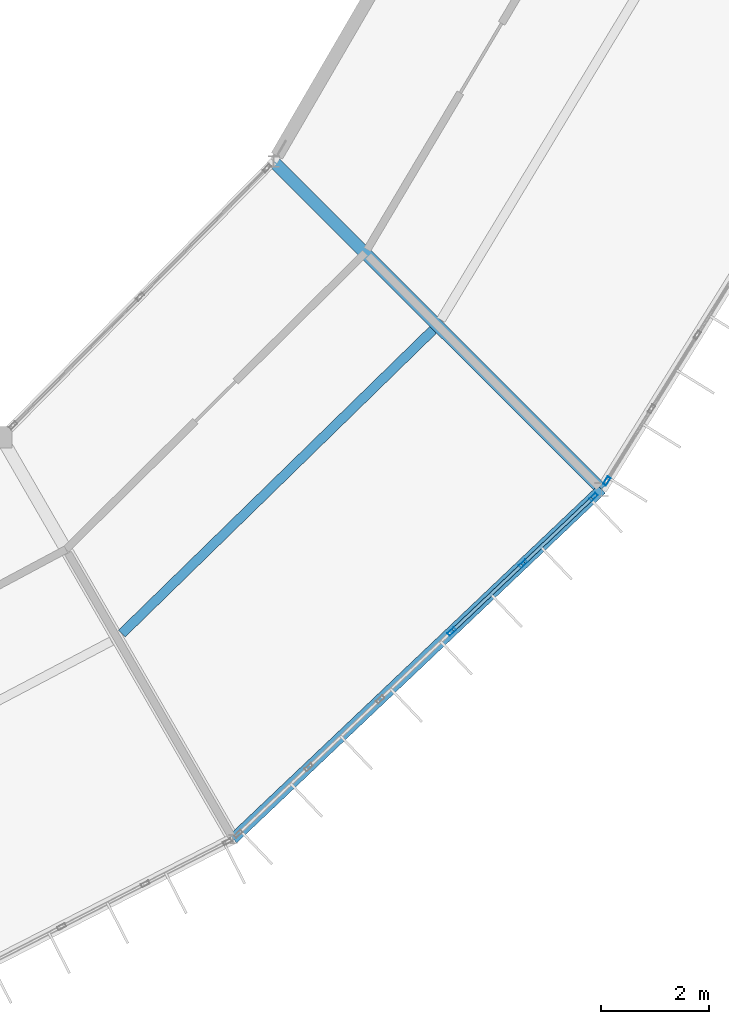
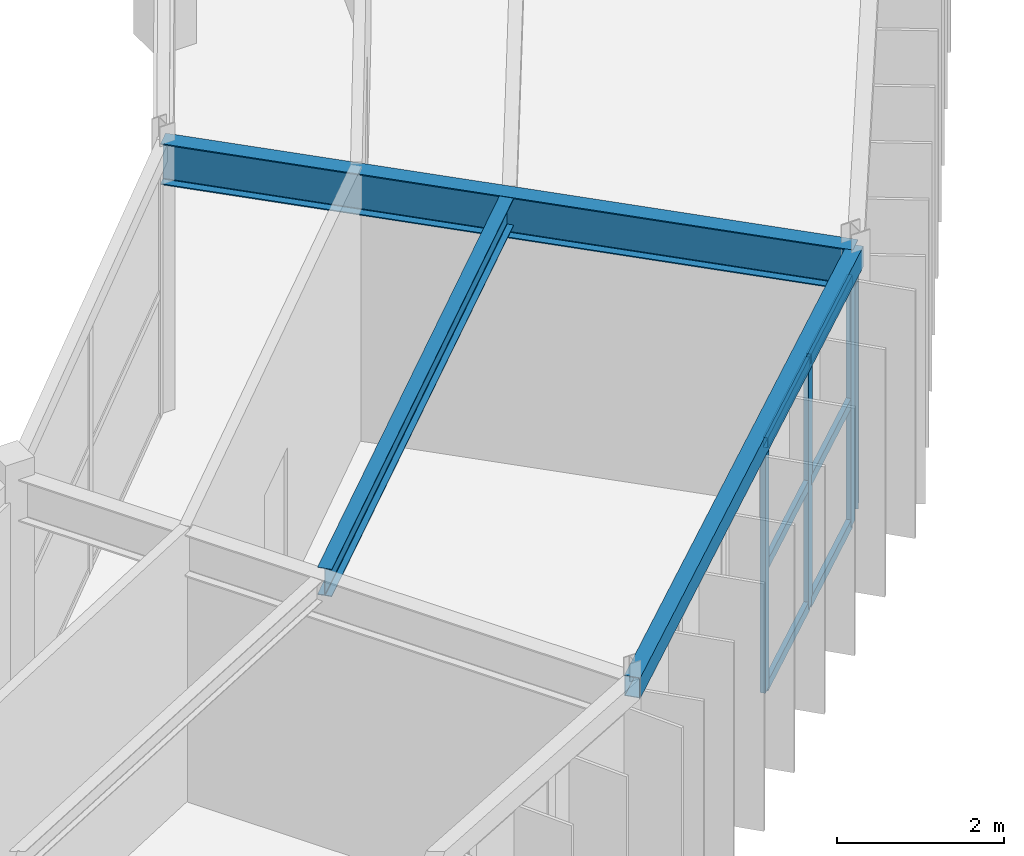
# One storey, part 49 of 134: 10 members, 3 beams, 2 elements without a shape of their own.
"""IFC4 building model written with IfcOpenShell, lengths in metres."""

import ifcopenshell
import ifcopenshell.guid

model = None  # the IFC model being written
_history = None  # IfcOwnerHistory: only IFC2X3 demands one
_inside = {}  # id of a spatial element -> (the spatial element, [elements in it])
_under = {}  # id of a project, library or spatial element -> (it, [spatial elements below it])
_declared = {}  # id of a project -> (the project, [libraries it declares])
_typed = {}  # id of a type object -> (the type object, [elements of that type])
_made_of = {}  # id of a material, layer set ... -> (it, [elements and type objects made of it])


def new_model(schema):
    """Start an empty IFC model of exactly this schema.

    Asked for "IFC4X3", IfcOpenShell would pick the latest addendum, in which some entities
    have other attributes; the version numbers below select the first issue.
    IFC2X3 requires an IfcOwnerHistory on every rooted entity: one is made here for all.
    """
    global model, _history
    if schema == "IFC4X3":
        model = ifcopenshell.file(schema_version=(4, 3, 0, 0))
    else:
        model = ifcopenshell.file(schema=schema)
    _inside.clear()
    _under.clear()
    _declared.clear()
    _typed.clear()
    _made_of.clear()
    _history = None
    if model.schema == "IFC2X3":
        org = make("IfcOrganization", Name="unknown")
        user = make(
            "IfcPersonAndOrganization",
            ThePerson=make("IfcPerson", FamilyName="unknown"),
            TheOrganization=org,
        )
        app = make(
            "IfcApplication",
            ApplicationDeveloper=org,
            Version="unknown",
            ApplicationFullName="unknown",
            ApplicationIdentifier="unknown",
        )
        _history = make(
            "IfcOwnerHistory",
            OwningUser=user,
            OwningApplication=app,
            ChangeAction="ADDED",
            CreationDate=0,
        )
    return model


def make(cls, **values):
    """One entity of the class cls with the attributes given. An attribute that is None is left unset."""
    return model.create_entity(
        cls, **{name: value for name, value in values.items() if value is not None}
    )


def rooted(cls, **values):
    """An entity with a GlobalId (a new one), such as an element, a storey or a relation."""
    return make(cls, GlobalId=ifcopenshell.guid.new(), OwnerHistory=_history, **values)


def si_unit(unit_type, name, prefix=None):
    """IfcSIUnit, for example si_unit("LENGTHUNIT", "METRE", prefix="MILLI")."""
    return make("IfcSIUnit", UnitType=unit_type, Prefix=prefix, Name=name)


def assignment(units):
    """IfcUnitAssignment: the units of a project."""
    return None if units is None else make("IfcUnitAssignment", Units=units)


def point(xyz):
    """IfcCartesianPoint."""
    return None if xyz is None else make("IfcCartesianPoint", Coordinates=xyz)


def direction(xyz):
    """IfcDirection."""
    return None if xyz is None else make("IfcDirection", DirectionRatios=xyz)


def frame(location, z_axis=None, x_axis=None):
    """IfcAxis2Placement3D, a coordinate frame: its origin and axes. An axis left out is left unset."""
    return make(
        "IfcAxis2Placement3D",
        Location=point(location),
        Axis=direction(z_axis),
        RefDirection=direction(x_axis),
    )


def frame_2d(location, x_axis=None):
    """IfcAxis2Placement2D, a coordinate frame in the plane: its origin and x axis."""
    return make(
        "IfcAxis2Placement2D", Location=point(location), RefDirection=direction(x_axis)
    )


def origin():
    """The frame at (0, 0, 0) with its axes left unset."""
    return frame((0.0, 0.0, 0.0))


def origin_2d():
    """The frame at (0, 0) in the plane with its x axis left unset."""
    return frame_2d((0.0, 0.0))


def place(relative_to, where):
    """IfcLocalPlacement: puts the frame where relative to a parent placement (None: the world)."""
    return make(
        "IfcLocalPlacement", PlacementRelTo=relative_to, RelativePlacement=where
    )


def context(
    kind, dimensions, precision=None, world=None, true_north=None, identifier=None
):
    """IfcGeometricRepresentationContext, for example the 3D "Model" context."""
    return make(
        "IfcGeometricRepresentationContext",
        ContextIdentifier=identifier,
        ContextType=kind,
        CoordinateSpaceDimension=dimensions,
        Precision=precision,
        WorldCoordinateSystem=world,
        TrueNorth=true_north,
    )


def subcontext(parent, identifier, kind, view, scale=None):
    """IfcGeometricRepresentationSubContext, for example "Body" below "Model"."""
    return make(
        "IfcGeometricRepresentationSubContext",
        ContextIdentifier=identifier,
        ContextType=kind,
        ParentContext=parent,
        TargetScale=scale,
        TargetView=view,
    )


def project(units=None, contexts=None):
    """IfcProject with its units and contexts."""
    return rooted(
        "IfcProject",
        Name="project",
        RepresentationContexts=contexts,
        UnitsInContext=assignment(units),
    )


def spatial(cls, under=None, at=None, **own):
    """A site, building, storey or space (cls), placed at a placement, below another one or the project."""
    s = rooted(cls, ObjectPlacement=at, **own)
    if under is not None:
        _under.setdefault(under.id(), (under, []))[1].append(s)
    return s


def profile(cls, at=None, kind="AREA", **sizes):
    """A parametric profile (cls). Its sizes go by their IFC names, for example OverallWidth=200.0."""
    return make(cls, ProfileType=kind, Position=at, **sizes)


def hollow_rectangle(**sizes):
    """IfcRectangleHollowProfileDef."""
    return profile("IfcRectangleHollowProfileDef", **sizes)


def i_section(**sizes):
    """IfcIShapeProfileDef."""
    return profile("IfcIShapeProfileDef", **sizes)


def extrude(swept, where, along, depth):
    """IfcExtrudedAreaSolid: the profile swept, set in the frame where, extruded along a direction by depth."""
    return make(
        "IfcExtrudedAreaSolid",
        SweptArea=swept,
        Position=where,
        ExtrudedDirection=direction(along),
        Depth=depth,
    )


def shape(context_of_items, identifier, shape_type, items):
    """IfcShapeRepresentation: the items that make up one representation, for example the "Body"."""
    return make(
        "IfcShapeRepresentation",
        ContextOfItems=context_of_items,
        RepresentationIdentifier=identifier,
        RepresentationType=shape_type,
        Items=items,
    )


def material(Name=None, Category=None):
    """IfcMaterial."""
    return make("IfcMaterial", Name=Name, Category=Category)


def material_profile(
    of_material, cross_section, Name=None, Category=None, Priority=None
):
    """IfcMaterialProfile: a cross section and its material."""
    return make(
        "IfcMaterialProfile",
        Name=Name,
        Material=of_material,
        Profile=cross_section,
        Priority=Priority,
        Category=Category,
    )


def profile_set(profiles, Name=None, composite=None):
    """IfcMaterialProfileSet."""
    return make(
        "IfcMaterialProfileSet",
        Name=Name,
        MaterialProfiles=profiles,
        CompositeProfile=composite,
    )


def made_of(thing, what):
    """Note that an element or type object is made of a material, layer set ...; save() writes the relation."""
    if what is not None:
        _made_of.setdefault(what.id(), (what, []))[1].append(thing)
    return thing


def type_object(cls, material=None, **own):
    """A type object (cls), such as IfcWallType, which elements share."""
    return made_of(rooted(cls, **own), material)


def element(
    cls,
    number,
    at=None,
    inside=None,
    cuts=None,
    type_object=None,
    material=None,
    context=None,
    identifier="Body",
    shape_type=None,
    held_by="IfcProductDefinitionShape",
    body=None,
    shapes=None,
    **own,
):
    """One element of the class cls, such as IfcWall. Its Tag is "e" and its number.

    at: its placement. inside: the storey or other place that contains it. cuts: it is an
    opening in that element (IfcRelVoidsElement). A single representation is given by context,
    identifier, shape_type and body (its items); several are given by shapes. held_by: the class
    of the entity that holds the representations. save() writes the other relations.
    """
    e = rooted(cls, Tag="e%d" % number, ObjectPlacement=at, **own)
    if body is not None:
        shapes = [shape(context, identifier, shape_type, body)]
    if shapes is not None:
        e.Representation = make(held_by, Representations=shapes)
    if inside is not None:
        _inside.setdefault(inside.id(), (inside, []))[1].append(e)
    if cuts is not None:
        rooted(
            "IfcRelVoidsElement", RelatingBuildingElement=cuts, RelatedOpeningElement=e
        )
    if type_object is not None:
        _typed.setdefault(type_object.id(), (type_object, []))[1].append(e)
    return made_of(e, material)


def aggregate(whole, parts):
    """IfcRelAggregates: a whole, such as a stair, and the parts it consists of."""
    return rooted("IfcRelAggregates", RelatingObject=whole, RelatedObjects=parts)


def save(model, path):
    """Write the relations noted so far, then the file.

    IfcRelAggregates (storeys below a building ...), IfcRelContainedInSpatialStructure (elements
    in a storey), IfcRelDefinesByType, IfcRelAssociatesMaterial and IfcRelDeclares: one each for
    every whole, place, type object, material and project.
    """
    for whole, parts in _under.values():
        aggregate(whole, parts)
    for where, things in _inside.values():
        rooted(
            "IfcRelContainedInSpatialStructure",
            RelatedElements=things,
            RelatingStructure=where,
        )
    for kind, things in _typed.values():
        rooted("IfcRelDefinesByType", RelatedObjects=things, RelatingType=kind)
    for what, things in _made_of.values():
        rooted("IfcRelAssociatesMaterial", RelatedObjects=things, RelatingMaterial=what)
    for by, libraries in _declared.values():
        rooted("IfcRelDeclares", RelatingContext=by, RelatedDefinitions=libraries)
    model.write(path)


model = new_model("IFC4")

# Units and contexts
model_context = context("Model", 3, precision=1e-05, world=origin(), true_north=direction((0.0, 1.0)))
body_context = subcontext(model_context, "Body", "Model", "MODEL_VIEW")
ifc_project = project(units=[si_unit("LENGTHUNIT", "METRE"), si_unit("AREAUNIT", "SQUARE_METRE"), si_unit("VOLUMEUNIT", "CUBIC_METRE"), si_unit("PLANEANGLEUNIT", "RADIAN"), si_unit("MASSUNIT", "GRAM", prefix="KILO")], contexts=[model_context])

# Site, building, storey
site_placement = place(None, origin())
site = spatial("IfcSite", under=ifc_project, at=site_placement, CompositionType="ELEMENT")
building_placement = place(site_placement, origin())
building = spatial("IfcBuilding", under=site, at=building_placement, Name="Karori Crest Natural Sciences Institute", CompositionType="ELEMENT")
storey_placement = place(building_placement, frame((0.0, 0.0, 21.699951171875)))
storey = spatial("IfcBuildingStorey", under=building, at=storey_placement, Name="L05", CompositionType="ELEMENT", Elevation=21.699951171875)

# Beams
ifc_material_1 = material(Name="Hollow structural steel AS/NZS 1163 Grade C350", Category="steel")
ifc_material_profile_1 = material_profile(ifc_material_1, hollow_rectangle(XDim=0.199951171875, YDim=0.300048828125, WallThickness=0.010009765625, at=origin_2d()), Name="RHS300x200x10")
ifc_profile_set_1 = profile_set([ifc_material_profile_1], Name="Hollow structural steel AS/NZS 1163 Grade C350")
beam_type_1 = type_object("IfcBeamType", Name="BT-15", PredefinedType="SPANDREL", material=ifc_profile_set_1)
beam_1_placement = place(storey_placement, frame((82.89990234375, 14.566162109375, 3.7900390625), z_axis=(0.725481282589, 0.688241896874, 0.0), x_axis=(-0.688241896874, 0.725481282589, 0.0)))
element("IfcBeam", 1, at=beam_1_placement, inside=storey, type_object=beam_type_1, Name="Beam B-0604", PredefinedType="SPANDREL", context=body_context, shape_type="SweptSolid", body=[
    extrude(hollow_rectangle(XDim=0.199951171875, YDim=0.300048828125, WallThickness=0.010009765625, at=origin_2d()), origin(), (0.0, 0.0, 1.0), 9.4208984375),
])
ifc_material_2 = material(Name="Structural steel AS/NZS 3679.1 Grade 350", Category="steel")
ifc_material_profile_2 = material_profile(ifc_material_2, i_section(OverallWidth=0.22802734375, OverallDepth=0.60205078125, WebThickness=0.010498046875, FlangeThickness=0.014892578125, FilletRadius=0.013916015625, at=origin_2d()), Name="610UB101")
ifc_profile_set_2 = profile_set([ifc_material_profile_2], Name="Structural steel AS/NZS 3679.1 Grade 350")
beam_type_2 = type_object("IfcBeamType", Name="BT-27", PredefinedType="BEAM", material=ifc_profile_set_2)
beam_2_placement = place(storey_placement, frame((83.6533203125, 27.131103515625, 3.63916015625), z_axis=(0.70712097513, -0.707092586958, 0.0), x_axis=(0.707092586958, 0.70712097513, 0.0)))
element("IfcBeam", 2, at=beam_2_placement, inside=storey, type_object=beam_type_2, Name="Beam B-0610", PredefinedType="BEAM", context=body_context, shape_type="SweptSolid", body=[
    extrude(i_section(OverallWidth=0.22802734375, OverallDepth=0.60205078125, WebThickness=0.010498046875, FlangeThickness=0.014892578125, FilletRadius=0.013916015625, at=origin_2d()), origin(), (0.0, 0.0, 1.0), 8.60009765625),
])
ifc_material_profile_3 = material_profile(ifc_material_2, i_section(OverallWidth=0.177978515625, OverallDepth=0.403076171875, WebThickness=0.007568359375, FlangeThickness=0.010986328125, FilletRadius=0.010986328125, at=origin_2d()), Name="410UB53.7")
ifc_profile_set_3 = profile_set([ifc_material_profile_3], Name="Structural steel AS/NZS 3679.1 Grade 350")
beam_type_3 = type_object("IfcBeamType", Name="BT-29", PredefinedType="BEAM", material=ifc_profile_set_3)
beam_3_placement = place(storey_placement, frame((80.8359375, 18.373779296875, 3.738525390625), z_axis=(0.715681193625, 0.698427110794, 0.0), x_axis=(-0.698427110794, 0.715681193625, 0.0)))
element("IfcBeam", 3, at=beam_3_placement, inside=storey, type_object=beam_type_3, Name="Beam B-0607", PredefinedType="BEAM", context=body_context, shape_type="SweptSolid", body=[
    extrude(i_section(OverallWidth=0.177978515625, OverallDepth=0.403076171875, WebThickness=0.007568359375, FlangeThickness=0.010986328125, FilletRadius=0.010986328125, at=origin_2d()), origin(), (0.0, 0.0, 1.0), 8.0654296875),
])

# Curtain wall, members
ifc_material_3 = material(Name="Anodised architectural aluminium 6063-T6", Category="aluminium")
curtain_wall_type_1 = type_object("IfcCurtainWallType", Name="CWT-01", PredefinedType="NOTDEFINED", material=ifc_material_3)
curtain_wall_1_placement = place(storey_placement, origin())
curtain_wall_1 = element("IfcCurtainWall", 4, at=curtain_wall_1_placement, inside=storey, type_object=curtain_wall_type_1, Name="Curtain wall CW-0202", PredefinedType="NOTDEFINED")
ifc_material_profile_4 = material_profile(ifc_material_3, hollow_rectangle(XDim=0.06494140625, YDim=0.159912109375, WallThickness=0.00390625, at=origin_2d()), Name="CWM160x65x4")
ifc_profile_set_4 = profile_set([ifc_material_profile_4], Name="Anodised architectural aluminium 6063-T6")
member_type_1 = type_object("IfcMemberType", Name="CWM-01", PredefinedType="MULLION", material=ifc_profile_set_4)
member_1_placement = place(storey_placement, frame((89.58447265625, 20.90771484375, 0.0), z_axis=(0.0, 0.0, 1.0), x_axis=(0.688250542104, -0.725473081026, 0.0)))
member_1 = element("IfcMember", 5, at=member_1_placement, type_object=member_type_1, Name="CW-0202 mullion 1", PredefinedType="MULLION", context=body_context, shape_type="SweptSolid", body=[
    extrude(hollow_rectangle(XDim=0.06494140625, YDim=0.159912109375, WallThickness=0.00390625, at=origin_2d()), origin(), (0.0, 0.0, 1.0), 3.625),
])
member_2_placement = place(storey_placement, frame((88.281494140625, 19.671630859375, 0.0), z_axis=(0.0, 0.0, 1.0), x_axis=(0.688250542104, -0.725473081026, 0.0)))
member_2 = element("IfcMember", 6, at=member_2_placement, type_object=member_type_1, Name="CW-0202 mullion 2", PredefinedType="MULLION", context=body_context, shape_type="SweptSolid", body=[
    extrude(hollow_rectangle(XDim=0.06494140625, YDim=0.159912109375, WallThickness=0.00390625, at=origin_2d()), origin(), (0.0, 0.0, 1.0), 3.625),
])
member_3_placement = place(storey_placement, frame((86.955078125, 18.4130859375, 0.0), z_axis=(0.0, 0.0, 1.0), x_axis=(0.688250542104, -0.725473081026, 0.0)))
member_3 = element("IfcMember", 7, at=member_3_placement, type_object=member_type_1, Name="CW-0202 mullion 3", PredefinedType="MULLION", context=body_context, shape_type="SweptSolid", body=[
    extrude(hollow_rectangle(XDim=0.06494140625, YDim=0.159912109375, WallThickness=0.00390625, at=origin_2d()), origin(), (0.0, 0.0, 1.0), 3.625),
])

# Curtain wall, member
curtain_wall_type_2 = type_object("IfcCurtainWallType", Name="CWT-02", PredefinedType="NOTDEFINED", material=ifc_material_3)
curtain_wall_2_placement = place(storey_placement, origin())
curtain_wall_2 = element("IfcCurtainWall", 8, at=curtain_wall_2_placement, inside=storey, type_object=curtain_wall_type_2, Name="Curtain wall CW-0204", PredefinedType="NOTDEFINED")
member_4_placement = place(storey_placement, frame((89.831298828125, 21.205810546875, 0.0), z_axis=(0.0, 0.0, 1.0), x_axis=(0.849664350398, -0.527323896352, 0.0)))
member_4 = element("IfcMember", 9, at=member_4_placement, type_object=member_type_1, Name="CW-0204 mullion 7", PredefinedType="MULLION", context=body_context, shape_type="SweptSolid", body=[
    extrude(hollow_rectangle(XDim=0.06494140625, YDim=0.159912109375, WallThickness=0.00390625, at=origin_2d()), origin(), (0.0, 0.0, 1.0), 3.625),
])
aggregate(curtain_wall_2, [member_4])

# Member
ifc_material_profile_5 = material_profile(ifc_material_3, hollow_rectangle(XDim=0.06494140625, YDim=0.14990234375, WallThickness=0.00390625, at=origin_2d()), Name="CWT150x65x4")
ifc_profile_set_5 = profile_set([ifc_material_profile_5], Name="Anodised architectural aluminium 6063-T6")
member_type_2 = type_object("IfcMemberType", Name="CWT-TR2", PredefinedType="USERDEFINED", material=ifc_profile_set_5)
member_5_placement = place(storey_placement, frame((89.560791015625, 20.88525390625, 0.032470703125), z_axis=(-0.725411327963, -0.6883156291, 0.0), x_axis=(0.6883156291, -0.725411327963, 0.0)))
member_5 = element("IfcMember", 10, at=member_5_placement, type_object=member_type_2, Name="CW-0202 transom 1.1", ObjectType="TRANSOM", PredefinedType="USERDEFINED", context=body_context, shape_type="SweptSolid", body=[
    extrude(hollow_rectangle(XDim=0.06494140625, YDim=0.14990234375, WallThickness=0.00390625, at=origin_2d()), origin(), (0.0, 0.0, 1.0), 1.73095703125),
])

member_6_placement = place(storey_placement, frame((89.560791015625, 20.88525390625, 1.8125), z_axis=(-0.725411327963, -0.6883156291, 0.0), x_axis=(0.6883156291, -0.725411327963, 0.0)))
member_6 = element("IfcMember", 11, at=member_6_placement, type_object=member_type_2, Name="CW-0202 transom 1.2", ObjectType="TRANSOM", PredefinedType="USERDEFINED", context=body_context, shape_type="SweptSolid", body=[
    extrude(hollow_rectangle(XDim=0.06494140625, YDim=0.14990234375, WallThickness=0.00390625, at=origin_2d()), origin(), (0.0, 0.0, 1.0), 1.73095703125),
])

member_7_placement = place(storey_placement, frame((89.560791015625, 20.88525390625, 3.592529296875), z_axis=(-0.725411327963, -0.6883156291, 0.0), x_axis=(0.6883156291, -0.725411327963, 0.0)))
member_7 = element("IfcMember", 12, at=member_7_placement, type_object=member_type_2, Name="CW-0202 transom 1.3", ObjectType="TRANSOM", PredefinedType="USERDEFINED", context=body_context, shape_type="SweptSolid", body=[
    extrude(hollow_rectangle(XDim=0.06494140625, YDim=0.14990234375, WallThickness=0.00390625, at=origin_2d()), origin(), (0.0, 0.0, 1.0), 1.73095703125),
])

member_8_placement = place(storey_placement, frame((88.2578125, 19.649169921875, 0.032470703125), z_axis=(-0.725483196334, -0.688239879575, 0.0), x_axis=(0.688239879575, -0.725483196334, 0.0)))
member_8 = element("IfcMember", 13, at=member_8_placement, type_object=member_type_2, Name="CW-0202 transom 2.1", ObjectType="TRANSOM", PredefinedType="USERDEFINED", context=body_context, shape_type="SweptSolid", body=[
    extrude(hollow_rectangle(XDim=0.06494140625, YDim=0.14990234375, WallThickness=0.00390625, at=origin_2d()), origin(), (0.0, 0.0, 1.0), 1.763427734375),
])

member_9_placement = place(storey_placement, frame((88.2578125, 19.649169921875, 1.8125), z_axis=(-0.725483196334, -0.688239879575, 0.0), x_axis=(0.688239879575, -0.725483196334, 0.0)))
member_9 = element("IfcMember", 14, at=member_9_placement, type_object=member_type_2, Name="CW-0202 transom 2.2", ObjectType="TRANSOM", PredefinedType="USERDEFINED", context=body_context, shape_type="SweptSolid", body=[
    extrude(hollow_rectangle(XDim=0.06494140625, YDim=0.14990234375, WallThickness=0.00390625, at=origin_2d()), origin(), (0.0, 0.0, 1.0), 1.763427734375),
])

member_10_placement = place(storey_placement, frame((88.2578125, 19.649169921875, 3.592529296875), z_axis=(-0.725483196334, -0.688239879575, 0.0), x_axis=(0.688239879575, -0.725483196334, 0.0)))
member_10 = element("IfcMember", 15, at=member_10_placement, type_object=member_type_2, Name="CW-0202 transom 2.3", ObjectType="TRANSOM", PredefinedType="USERDEFINED", context=body_context, shape_type="SweptSolid", body=[
    extrude(hollow_rectangle(XDim=0.06494140625, YDim=0.14990234375, WallThickness=0.00390625, at=origin_2d()), origin(), (0.0, 0.0, 1.0), 1.763427734375),
])

aggregate(curtain_wall_1, [member_1, member_2, member_3, member_5, member_6, member_7, member_8, member_9, member_10])

save(model, "model.ifc")
